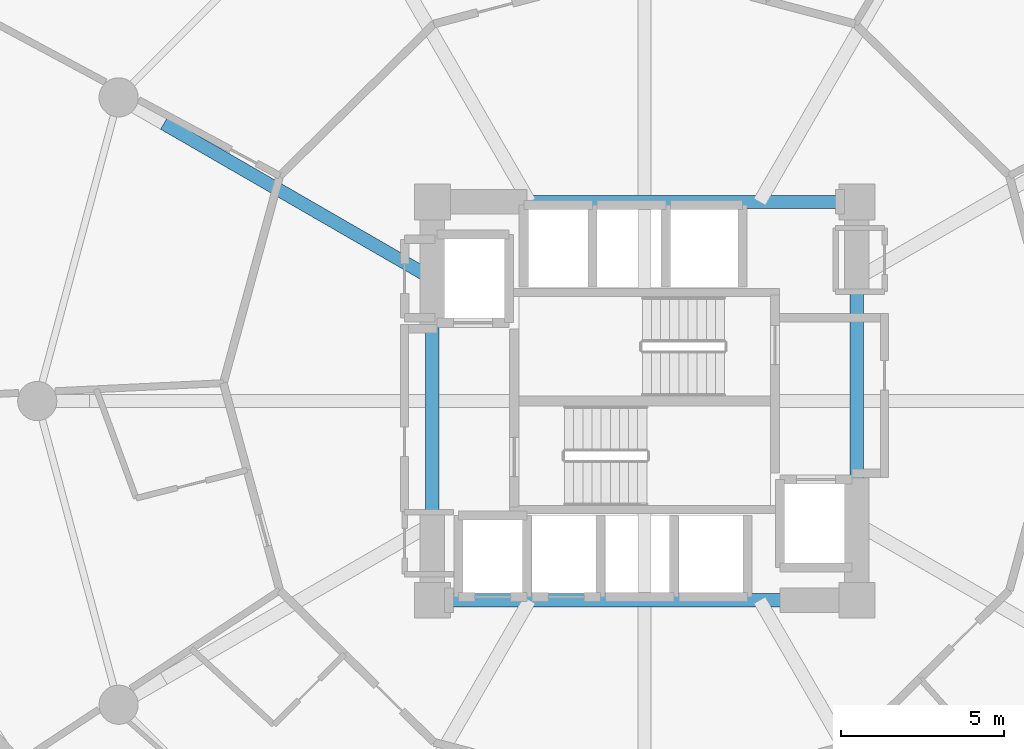
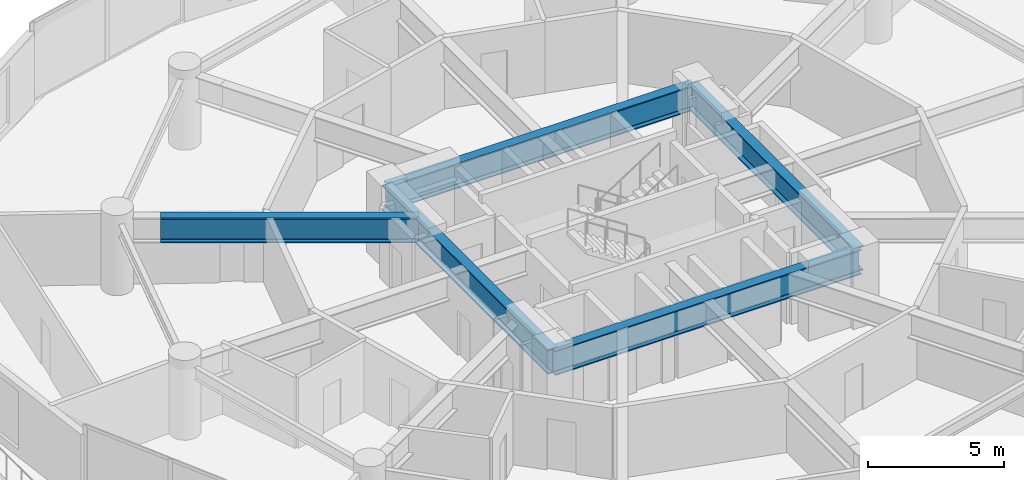
# One storey, part 7 of 24: 5 beams.
"""IFC4 building model written with IfcOpenShell, lengths in metres."""

from ifc_helpers import new_model, si_unit, direction, frame, origin, origin_2d, place, context, subcontext, project, spatial, i_section, extrude, material, material_profile, profile_set, type_object, element, save


model = new_model("IFC4")

# Units and contexts
model_context = context("Model", 3, precision=1e-05, world=origin(), true_north=direction((0.0, 1.0)))
body_context = subcontext(model_context, "Body", "Model", "MODEL_VIEW")
ifc_project = project(units=[si_unit("LENGTHUNIT", "METRE"), si_unit("AREAUNIT", "SQUARE_METRE"), si_unit("VOLUMEUNIT", "CUBIC_METRE"), si_unit("PLANEANGLEUNIT", "RADIAN"), si_unit("MASSUNIT", "GRAM", prefix="KILO")], contexts=[model_context])

# Site, building, storey
site_placement = place(None, origin())
site = spatial("IfcSite", under=ifc_project, at=site_placement, CompositionType="ELEMENT")
building_placement = place(site_placement, origin())
building = spatial("IfcBuilding", under=site, at=building_placement, Name="Solvirekh Grand Hotel", CompositionType="ELEMENT")
storey_placement = place(building_placement, frame((0.0, 0.0, 89.60009765625)))
storey = spatial("IfcBuildingStorey", under=building, at=storey_placement, Name="L22", CompositionType="ELEMENT", Elevation=89.60009765625)

# Beams
ifc_material = material(Name="Steel S460", Category="steel")
ifc_material_profile = material_profile(ifc_material, i_section(OverallWidth=0.405029296875, OverallDepth=1.117919921875, WebThickness=0.02587890625, FlangeThickness=0.048095703125, FilletRadius=0.02392578125, at=origin_2d()), Name="W1100X499")
ifc_profile_set = profile_set([ifc_material_profile], Name="Steel S460")
beam_type = type_object("IfcBeamType", Name="TransferGirder_W1100", PredefinedType="USERDEFINED", material=ifc_profile_set)
beam_1_placement = place(storey_placement, frame((-6.5, -6.10009765625, 2.640869140625), z_axis=(1.0, 0.0, 0.0), x_axis=(0.0, 1.0, 0.0)))
element("IfcBeam", 1, at=beam_1_placement, inside=storey, type_object=beam_type, Name="L22 core coupling ring beam 1", ObjectType="TRANSFER GIRDER", PredefinedType="USERDEFINED", context=body_context, shape_type="SweptSolid", body=[
    extrude(i_section(OverallWidth=0.405029296875, OverallDepth=1.117919921875, WebThickness=0.02587890625, FlangeThickness=0.048095703125, FilletRadius=0.02392578125, at=origin_2d()), origin(), (0.0, 0.0, 1.0), 13.0),
])
beam_2_placement = place(storey_placement, frame((6.5, -6.10009765625, 2.640869140625), z_axis=(0.0, 1.0, 0.0), x_axis=(-1.0, 0.0, 0.0)))
element("IfcBeam", 2, at=beam_2_placement, inside=storey, type_object=beam_type, Name="L22 core coupling ring beam 2", ObjectType="TRANSFER GIRDER", PredefinedType="USERDEFINED", context=body_context, shape_type="SweptSolid", body=[
    extrude(i_section(OverallWidth=0.405029296875, OverallDepth=1.117919921875, WebThickness=0.02587890625, FlangeThickness=0.048095703125, FilletRadius=0.02392578125, at=origin_2d()), origin(), (0.0, 0.0, 1.0), 12.2001953125),
])
beam_3_placement = place(storey_placement, frame((6.5, 6.10009765625, 2.640869140625), z_axis=(-1.0, 0.0, 0.0), x_axis=(0.0, -1.0, 0.0)))
element("IfcBeam", 3, at=beam_3_placement, inside=storey, type_object=beam_type, Name="L22 core coupling ring beam 3", ObjectType="TRANSFER GIRDER", PredefinedType="USERDEFINED", context=body_context, shape_type="SweptSolid", body=[
    extrude(i_section(OverallWidth=0.405029296875, OverallDepth=1.117919921875, WebThickness=0.02587890625, FlangeThickness=0.048095703125, FilletRadius=0.02392578125, at=origin_2d()), origin(), (0.0, 0.0, 1.0), 13.0),
])
beam_4_placement = place(storey_placement, frame((-6.5, 6.10009765625, 2.640869140625), z_axis=(0.0, -1.0, 0.0), x_axis=(1.0, 0.0, 0.0)))
element("IfcBeam", 4, at=beam_4_placement, inside=storey, type_object=beam_type, Name="L22 core coupling ring beam 4", ObjectType="TRANSFER GIRDER", PredefinedType="USERDEFINED", context=body_context, shape_type="SweptSolid", body=[
    extrude(i_section(OverallWidth=0.405029296875, OverallDepth=1.117919921875, WebThickness=0.02587890625, FlangeThickness=0.048095703125, FilletRadius=0.02392578125, at=origin_2d()), origin(), (0.0, 0.0, 1.0), 12.2001953125),
])
beam_5_placement = place(storey_placement, frame((-6.5, 3.75390625, 2.640869140625), z_axis=(-0.866063541164, 0.499933938303, 0.0), x_axis=(-0.499933938303, -0.866063541164, 0.0)))
element("IfcBeam", 5, at=beam_5_placement, inside=storey, type_object=beam_type, Name="L22 inner radial transfer girder 6A", ObjectType="TRANSFER GIRDER", PredefinedType="USERDEFINED", context=body_context, shape_type="SweptSolid", body=[
    extrude(i_section(OverallWidth=0.405029296875, OverallDepth=1.117919921875, WebThickness=0.02587890625, FlangeThickness=0.048095703125, FilletRadius=0.02392578125, at=origin_2d()), origin(), (0.0, 0.0, 1.0), 9.493408203125),
])

save(model, "model.ifc")
